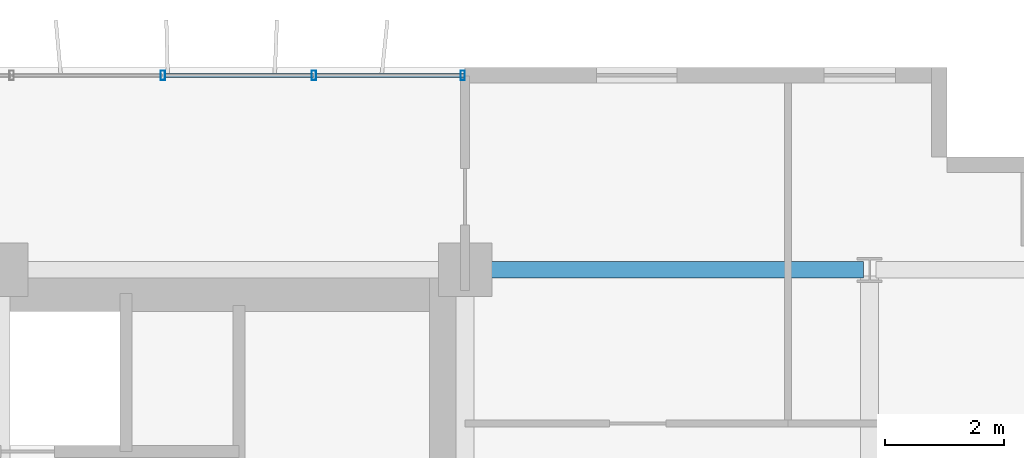
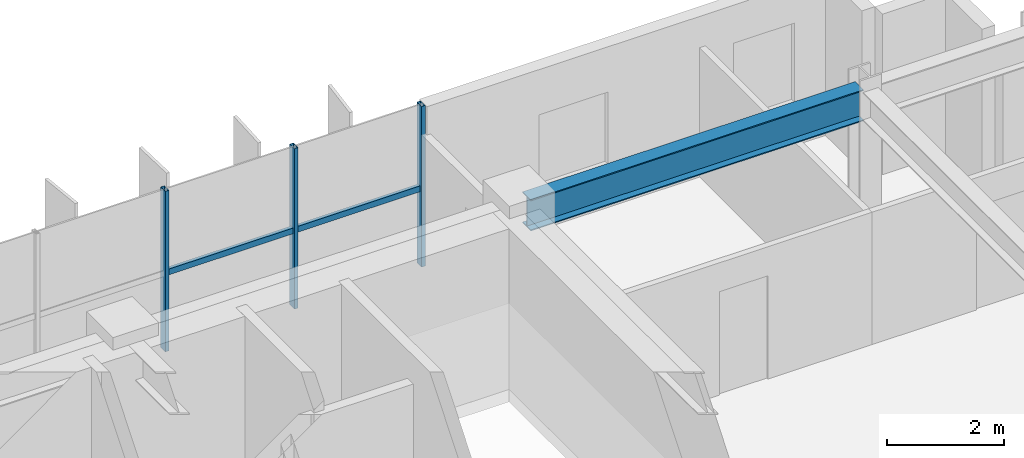
# One storey, part 12 of 24: 5 members, 1 beam, 1 element without a shape of its own.
"""IFC4 building model written with IfcOpenShell, lengths in metres."""

from ifc_helpers import new_model, si_unit, direction, frame, origin, origin_2d, place, context, subcontext, project, spatial, hollow_rectangle, i_section, extrude, source, transform, mapped, material, material_profile, profile_set, type_object, element, aggregate, save


model = new_model("IFC4")

# Units and contexts
model_context = context("Model", 3, precision=1e-05, world=origin(), true_north=direction((0.0, 1.0)))
body_context = subcontext(model_context, "Body", "Model", "MODEL_VIEW")
ifc_project = project(units=[si_unit("LENGTHUNIT", "METRE"), si_unit("AREAUNIT", "SQUARE_METRE"), si_unit("VOLUMEUNIT", "CUBIC_METRE"), si_unit("PLANEANGLEUNIT", "RADIAN"), si_unit("MASSUNIT", "GRAM", prefix="KILO")], contexts=[model_context])

# Site, building, storey
site_placement = place(None, origin())
site = spatial("IfcSite", under=ifc_project, at=site_placement, CompositionType="ELEMENT")
building_placement = place(site_placement, origin())
building = spatial("IfcBuilding", under=site, at=building_placement, Name="Trelvane Seafront Commons", CompositionType="ELEMENT")
storey_placement = place(building_placement, frame((0.0, 0.0, 30.699951171875)))
storey = spatial("IfcBuildingStorey", under=building, at=storey_placement, Name="L07", CompositionType="ELEMENT", Elevation=30.699951171875)

# Beam
ifc_material_1 = material(Name="Steel SM355 (S355)", Category="steel")
ifc_material_profile_1 = material_profile(ifc_material_1, i_section(OverallWidth=0.280029296875, OverallDepth=0.64990234375, WebThickness=0.012939453125, FlangeThickness=0.02197265625, at=origin_2d()), Name="H-650x280x13x22")
ifc_profile_set_1 = profile_set([ifc_material_profile_1], Name="Steel SM355 (S355)")
beam_type = type_object("IfcBeamType", Name="STR-BM-H650", PredefinedType="BEAM", material=ifc_profile_set_1)
shared_shape_1 = source(origin(), body_context, "Body", "SweptSolid", [
    extrude(i_section(OverallWidth=0.280029296875, OverallDepth=0.64990234375, WebThickness=0.012939453125, FlangeThickness=0.02197265625, at=origin_2d()), origin(), (0.0, 0.0, 1.0), 6.545166015625),
])
beam_placement = place(storey_placement, frame((58.949951171875, 45.10009765625, 3.01513671875), z_axis=(1.0, 0.0, 0.0), x_axis=(0.0, 1.0, 0.0)))
element("IfcBeam", 1, at=beam_placement, inside=storey, type_object=beam_type, Name="L07 Primary Girder G-35", PredefinedType="BEAM", context=body_context, shape_type="MappedRepresentation", body=[
    mapped(shared_shape_1, transform((0.0, 0.0, 0.0), x_axis=(1.0, 0.0, 0.0), y_axis=(0.0, 1.0, 0.0), z_axis=(0.0, 0.0, 1.0), scale=1.0)),
])

# Curtain wall, members
ifc_material_2 = material(Name="Anodised pale-silver aluminium", Category="aluminium")
curtain_wall_type = type_object("IfcCurtainWallType", Name="ARCH-CW2-LOWTOWER", PredefinedType="NOTDEFINED", material=ifc_material_2)
curtain_wall_placement = place(storey_placement, origin())
curtain_wall = element("IfcCurtainWall", 2, at=curtain_wall_placement, inside=storey, type_object=curtain_wall_type, Name="CW-L07-0031", PredefinedType="NOTDEFINED")
ifc_material_profile_2 = material_profile(ifc_material_2, hollow_rectangle(XDim=0.074951171875, YDim=0.159912109375, WallThickness=0.00390625, at=origin_2d()), Name="MULL-75x160x4")
ifc_profile_set_2 = profile_set([ifc_material_profile_2], Name="Anodised pale-silver aluminium")
member_type_1 = type_object("IfcMemberType", Name="ARCH-CW-MULL-160", PredefinedType="MULLION", material=ifc_profile_set_2)
shared_shape_2 = source(origin(), body_context, "Body", "SweptSolid", [
    extrude(hollow_rectangle(XDim=0.074951171875, YDim=0.159912109375, WallThickness=0.00390625, at=origin_2d()), origin(), (0.0, 0.0, 1.0), 3.340087890625),
])
member_1_placement = place(storey_placement, frame((53.717529296875, 48.3701171875, 0.0), z_axis=(0.0, 0.0, 1.0), x_axis=(1.0, 0.0, 0.0)))
member_1 = element("IfcMember", 3, at=member_1_placement, type_object=member_type_1, Name="CW-L07-0031-M15", PredefinedType="MULLION", context=body_context, shape_type="MappedRepresentation", body=[
    mapped(shared_shape_2, transform((0.0, 0.0, 0.0), x_axis=(1.0, 0.0, 0.0), y_axis=(0.0, 1.0, 0.0), z_axis=(0.0, 0.0, 1.0), scale=1.0)),
])
member_2_placement = place(storey_placement, frame((56.2587890625, 48.3701171875, 0.0), z_axis=(0.0, 0.0, 1.0), x_axis=(1.0, 0.0, 0.0)))
member_2 = element("IfcMember", 4, at=member_2_placement, type_object=member_type_1, Name="CW-L07-0031-M16", PredefinedType="MULLION", context=body_context, shape_type="MappedRepresentation", body=[
    mapped(shared_shape_2, transform((0.0, 0.0, 0.0), x_axis=(1.0, 0.0, 0.0), y_axis=(0.0, 1.0, 0.0), z_axis=(0.0, 0.0, 1.0), scale=1.0)),
])
member_3_placement = place(storey_placement, frame((58.760009765625, 48.3701171875, 0.0), z_axis=(0.0, 0.0, 1.0), x_axis=(1.0, 0.0, 0.0)))
member_3 = element("IfcMember", 5, at=member_3_placement, type_object=member_type_1, Name="CW-L07-0031-M17", PredefinedType="MULLION", context=body_context, shape_type="MappedRepresentation", body=[
    mapped(shared_shape_2, transform((0.0, 0.0, 0.0), x_axis=(1.0, 0.0, 0.0), y_axis=(0.0, 1.0, 0.0), z_axis=(0.0, 0.0, 1.0), scale=1.0)),
])
ifc_material_profile_3 = material_profile(ifc_material_2, hollow_rectangle(XDim=0.070068359375, YDim=0.1201171875, WallThickness=0.00390625, at=origin_2d()), Name="TRAN-70x120x4")
ifc_profile_set_3 = profile_set([ifc_material_profile_3], Name="Anodised pale-silver aluminium")
member_type_2 = type_object("IfcMemberType", Name="ARCH-CW-TRAN-120", PredefinedType="USERDEFINED", material=ifc_profile_set_3)
shared_shape_3 = source(origin(), body_context, "Body", "SweptSolid", [
    extrude(hollow_rectangle(XDim=0.070068359375, YDim=0.1201171875, WallThickness=0.00390625, at=origin_2d()), origin(), (0.0, 0.0, 1.0), 2.517333984375),
])
member_4_placement = place(storey_placement, frame((53.7294921875, 48.3701171875, 1.60302734375), z_axis=(1.0, 0.0, 0.0), x_axis=(0.0, 1.0, 0.0)))
member_4 = element("IfcMember", 6, at=member_4_placement, type_object=member_type_2, Name="CW-L07-0031-T15", ObjectType="TRANSOM", PredefinedType="USERDEFINED", context=body_context, shape_type="MappedRepresentation", body=[
    mapped(shared_shape_3, transform((0.0, 0.0, 0.0), x_axis=(1.0, 0.0, 0.0), y_axis=(0.0, 1.0, 0.0), z_axis=(0.0, 0.0, 1.0), scale=1.0)),
])
member_5_placement = place(storey_placement, frame((56.270751953125, 48.3701171875, 1.60302734375), z_axis=(1.0, 0.0, 0.0), x_axis=(0.0, 1.0, 0.0)))
member_5 = element("IfcMember", 7, at=member_5_placement, type_object=member_type_2, Name="CW-L07-0031-T16", ObjectType="TRANSOM", PredefinedType="USERDEFINED", context=body_context, shape_type="MappedRepresentation", body=[
    mapped(shared_shape_3, transform((0.0, 0.0, 0.0), x_axis=(1.0, 0.0, 0.0), y_axis=(0.0, 1.0, 0.0), z_axis=(0.0, 0.0, 1.0), scale=1.0)),
])
aggregate(curtain_wall, [member_1, member_2, member_3, member_4, member_5])

save(model, "model.ifc")
